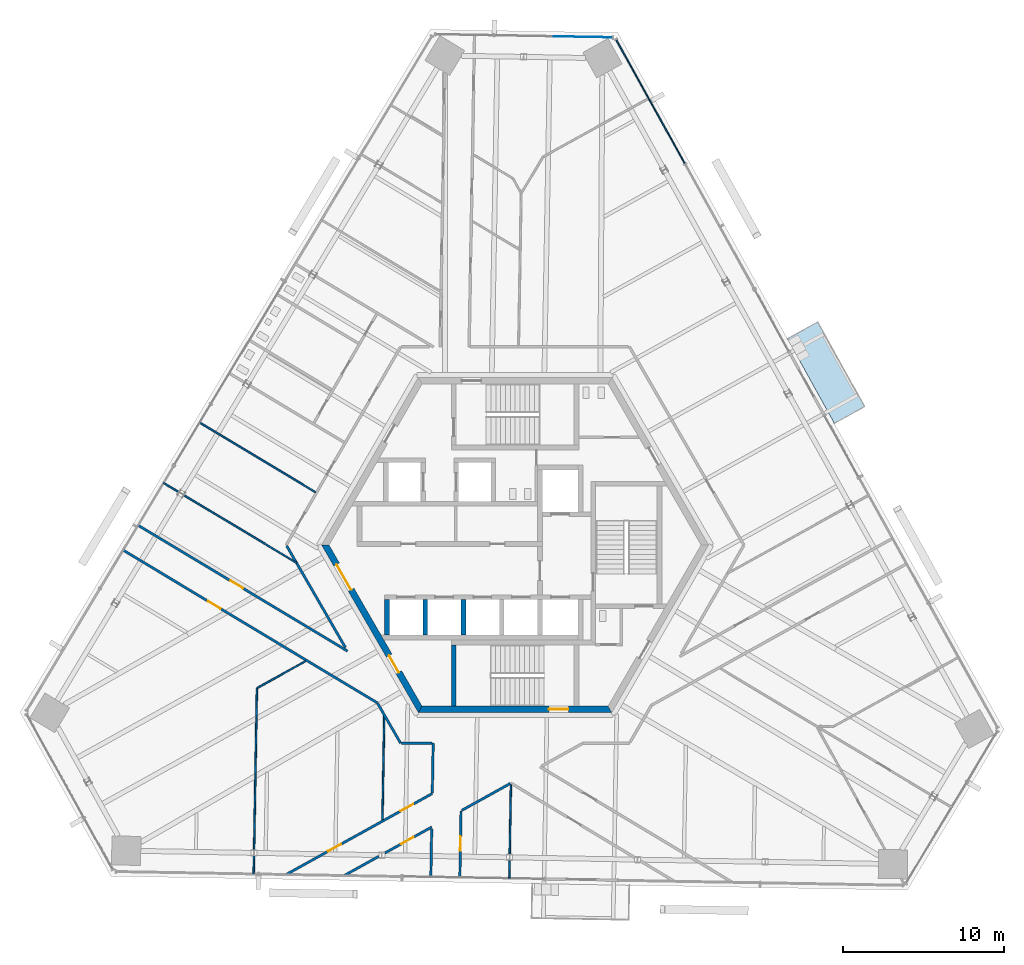
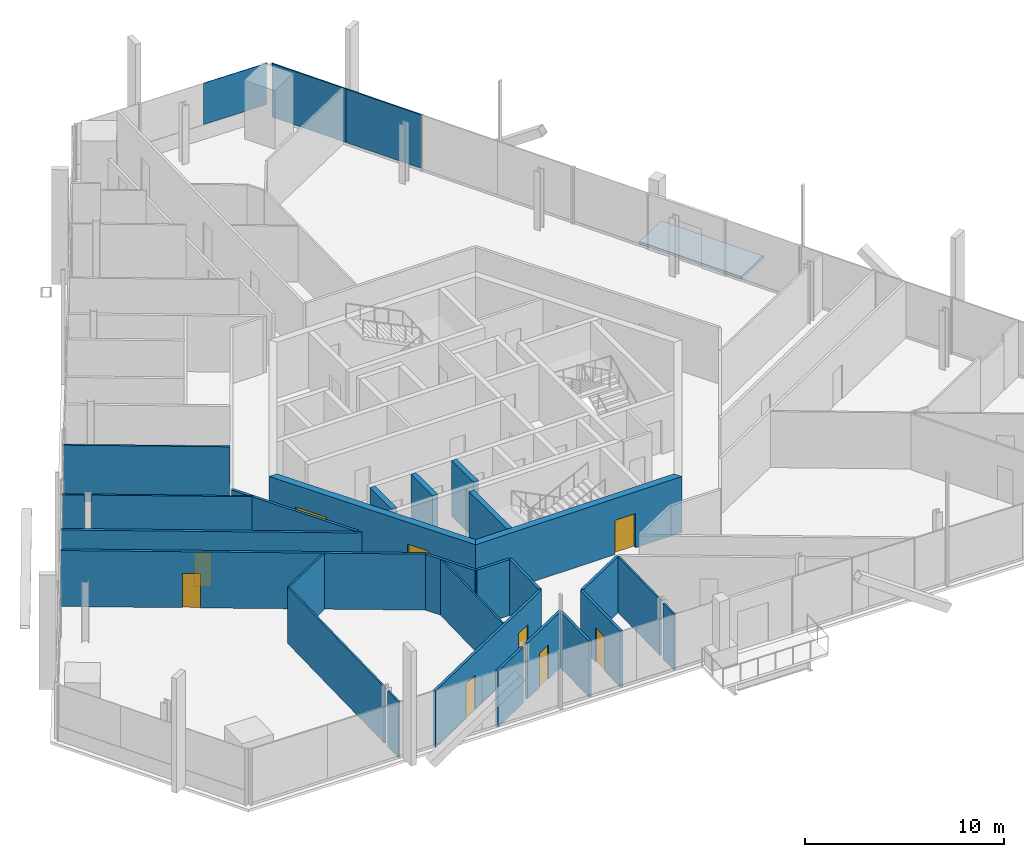
# One storey, part 11 of 21: 27 walls, 9 doors, 3 plates, 1 slab, 9 openings, 2 elements without a shape of their own.
"""IFC4 building model written with IfcOpenShell, lengths in metres."""

from ifc_helpers import new_model, si_unit, direction, frame, frame_2d, origin, origin_2d, place, context, subcontext, project, spatial, polyline, rectangle, outline, extrude, source, transform, mapped, material, layer, layer_set, type_object, element, fill, aggregate, save


model = new_model("IFC4")

# Units and contexts
model_context = context("Model", 3, precision=1e-05, world=origin(), true_north=direction((0.0, 1.0)))
body_context = subcontext(model_context, "Body", "Model", "MODEL_VIEW")
ifc_project = project(units=[si_unit("LENGTHUNIT", "METRE"), si_unit("AREAUNIT", "SQUARE_METRE"), si_unit("VOLUMEUNIT", "CUBIC_METRE"), si_unit("PLANEANGLEUNIT", "RADIAN"), si_unit("MASSUNIT", "GRAM", prefix="KILO")], contexts=[model_context])

# Site, building, storey
site_placement = place(None, origin())
site = spatial("IfcSite", under=ifc_project, at=site_placement, CompositionType="ELEMENT")
building_placement = place(site_placement, origin())
building = spatial("IfcBuilding", under=site, at=building_placement, Name="Triune Harvest Tower", CompositionType="ELEMENT")
storey_placement = place(building_placement, frame((0.0, 0.0, 187.10009765625)))
storey = spatial("IfcBuildingStorey", under=building, at=storey_placement, Name="L48", CompositionType="ELEMENT", Elevation=187.10009765625)

# Slab
ifc_material_1 = material(Name="Concrete 40 MPa", Category="concrete")
ifc_layer_1 = layer(ifc_material_1, 0.159912109375)
ifc_layer_set_1 = layer_set([ifc_layer_1], Name="Concrete 40 MPa")
slab_type = type_object("IfcSlabType", Name="BA-1 balcony slab 160", PredefinedType="FLOOR", material=ifc_layer_set_1)
slab_placement = place(storey_placement, frame((0.0, 0.0, -0.16015625)))
element("IfcSlab", 1, at=slab_placement, inside=storey, type_object=slab_type, Name="Balcony slab B5-F1 L48.6", PredefinedType="FLOOR", context=body_context, shape_type="SweptSolid", body=[
    extrude(outline(polyline([(19.801513671875, 7.5458984375), (16.892578125, 12.793701171875), (18.77099609375, 13.8349609375), (21.679931640625, 8.58740234375), (19.801513671875, 7.5458984375)])), origin(), (0.0, 0.0, 1.0), 0.16015625),
])

# Curtain wall, plate
ifc_material_2 = material(Name="Aluminium bronze anodised", Category="aluminium")
curtain_wall_type_1 = type_object("IfcCurtainWallType", Name="CW-1 Tower stick curtain wall", PredefinedType="NOTDEFINED", material=ifc_material_2)
curtain_wall_1_placement = place(storey_placement, origin())
curtain_wall_1 = element("IfcCurtainWall", 2, at=curtain_wall_1_placement, inside=storey, type_object=curtain_wall_type_1, Name="CW-1 B5-F2 L48 run 1")
ifc_material_3 = material(Name="Glass", Category="glass")
ifc_layer_2 = layer(ifc_material_3, 0.031982421875)
ifc_layer_set_2 = layer_set([ifc_layer_2], Name="Glass")
plate_type_1 = type_object("IfcPlateType", Name="GL-1 panel 32", PredefinedType="CURTAIN_PANEL", material=ifc_layer_set_2)
shared_shape_1 = source(origin(), body_context, "Body", "SweptSolid", [
    extrude(rectangle(XDim=3.625, YDim=0.031982421875, at=origin_2d()), origin(), (0.0, 0.0, 1.0), 2.5400390625),
])
plate_1_placement = place(storey_placement, frame((4.213134765625, 31.516357421875, 0.89990234375), z_axis=(0.0, 0.0, 1.0), x_axis=(-0.999847801404, 0.017446318452, 0.0)))
plate_1 = element("IfcPlate", 3, at=plate_1_placement, type_object=plate_type_1, Name="CW-1 panel B5-F2 1.1", PredefinedType="CURTAIN_PANEL", context=body_context, shape_type="MappedRepresentation", body=[
    mapped(shared_shape_1, transform((0.0, 0.0, 0.0), scale=1.0)),
])
aggregate(curtain_wall_1, [plate_1])

# Curtain wall, plates
ifc_material_4 = material(Name="Aluminium bronze anodised", Category="aluminium")
curtain_wall_type_2 = type_object("IfcCurtainWallType", Name="CW-10 Balcony window wall with insulated spandrel infill", PredefinedType="NOTDEFINED", material=ifc_material_4)
curtain_wall_2_placement = place(storey_placement, origin())
curtain_wall_2 = element("IfcCurtainWall", 4, at=curtain_wall_2_placement, inside=storey, type_object=curtain_wall_type_2, Name="CW-10 B5-F1 L48 run 1002")
ifc_material_5 = material(Name="Insulated spandrel panel, bronze aluminium pan", Category="aluminium")
ifc_layer_3 = layer(ifc_material_5, 0.080078125)
ifc_layer_set_3 = layer_set([ifc_layer_3], Name="Insulated spandrel panel, bronze aluminium pan")
plate_type_2 = type_object("IfcPlateType", Name="SP-1 insulated spandrel panel 80", PredefinedType="CURTAIN_PANEL", material=ifc_layer_set_3)
shared_shape_2 = source(origin(), body_context, "Body", "SweptSolid", [
    extrude(rectangle(XDim=4.36767578125, YDim=0.080078125, at=origin_2d()), origin(), (0.0, 0.0, 1.0), 3.2900390625),
])
plate_2_placement = place(storey_placement, frame((7.3291015625, 29.427490234375, 0.14990234375), z_axis=(0.0, 0.0, 1.0), x_axis=(-0.48480650278, 0.874621435172, 0.0)))
plate_2 = element("IfcPlate", 5, at=plate_2_placement, type_object=plate_type_2, Name="CW-10 panel B5-F1 1002.4", PredefinedType="CURTAIN_PANEL", context=body_context, shape_type="MappedRepresentation", body=[
    mapped(shared_shape_2, transform((0.0, 0.0, 0.0), scale=1.0)),
])
shared_shape_3 = source(origin(), body_context, "Body", "SweptSolid", [
    extrude(rectangle(XDim=4.405029296875, YDim=0.080078125, at=origin_2d()), origin(), (0.0, 0.0, 1.0), 3.2900390625),
])
plate_3_placement = place(storey_placement, frame((9.455810546875, 25.591064453125, 0.14990234375), z_axis=(0.0, 0.0, 1.0), x_axis=(-0.48480650278, 0.874621435172, 0.0)))
plate_3 = element("IfcPlate", 6, at=plate_3_placement, type_object=plate_type_2, Name="CW-10 panel B5-F1 1002.3", PredefinedType="CURTAIN_PANEL", context=body_context, shape_type="MappedRepresentation", body=[
    mapped(shared_shape_3, transform((0.0, 0.0, 0.0), scale=1.0)),
])
aggregate(curtain_wall_2, [plate_3, plate_2])

# Walls
ifc_material_6 = material(Name="Gypsum board on steel studs", Category="steel")
ifc_layer_4 = layer(ifc_material_6, 0.14990234375)
ifc_layer_set_4 = layer_set([ifc_layer_4], Name="Gypsum board on steel studs")
wall_type_1 = type_object("IfcWallType", Name="Fire Partition 150 mm", PredefinedType="PARTITIONING", material=ifc_layer_set_4)
wall_1_placement = place(storey_placement, frame((-5.1328125, -15.3720703125, 0.0), z_axis=(0.0, 0.0, 1.0), x_axis=(0.017516139067, 0.999846580667, 0.0)))
element("IfcWall", 7, at=wall_1_placement, inside=storey, type_object=wall_type_1, Name="Partition L48 057", PredefinedType="PARTITIONING", context=body_context, shape_type="SweptSolid", body=[
    extrude(rectangle(XDim=3.080322265625, YDim=0.14990234375, at=frame_2d((1.5400390625, 0.0))), origin(), (0.0, 0.0, 1.0), 3.43994140625),
])
ifc_material_7 = material(Name="Gypsum board on steel studs", Category="steel")
ifc_layer_5 = layer(ifc_material_7, 0.10009765625)
ifc_layer_set_5 = layer_set([ifc_layer_5], Name="Gypsum board on steel studs")
wall_type_2 = type_object("IfcWallType", Name="Partition 100 mm", PredefinedType="PARTITIONING", material=ifc_layer_set_5)
wall_2_placement = place(storey_placement, frame((-19.56103515625, 7.591796875, 0.0), z_axis=(0.0, 0.0, 1.0), x_axis=(0.857158773746, -0.515052265882, 0.0)))
element("IfcWall", 8, at=wall_2_placement, inside=storey, type_object=wall_type_2, Name="Partition L48 014", PredefinedType="PARTITIONING", context=body_context, shape_type="SweptSolid", body=[
    extrude(rectangle(XDim=8.38525390625, YDim=0.10009765625, at=frame_2d((4.192626953125, 0.0))), origin(), (0.0, 0.0, 1.0), 3.43994140625),
])

# Wall, openings, doors
ifc_material_8 = material(Name="Concrete 70 MPa", Category="concrete")
ifc_layer_6 = layer(ifc_material_8, 0.39990234375)
ifc_layer_set_6 = layer_set([ifc_layer_6], Name="Concrete 70 MPa")
wall_type_3 = type_object("IfcWallType", Name="Core wall 400", PredefinedType="SHEAR", material=ifc_layer_set_6)
shared_shape_4 = source(origin(), body_context, "Body", "SweptSolid", [
    extrude(outline(polyline([(-0.115478515625, -0.199951171875), (11.884521484375, -0.199951171875), (11.653564453125, 0.199951171875), (0.115478515625, 0.199951171875), (-0.115478515625, -0.199951171875)])), origin(), (0.0, 0.0, 1.0), 3.43994140625),
])
wall_3_placement = place(storey_placement, frame((-11.76904296875, 0.0, 0.0), z_axis=(0.0, 0.0, 1.0), x_axis=(0.499996592174, -0.866027371285, 0.0)))
wall_3 = element("IfcWall", 9, at=wall_3_placement, inside=storey, type_object=wall_type_3, Name="Hexagon 3 wall", PredefinedType="SHEAR", context=body_context, shape_type="MappedRepresentation", body=[
    mapped(shared_shape_4, transform((0.0, 0.0, 0.0), scale=1.0)),
])
opening_1_placement = place(wall_3_placement, frame((1.404541015625, 0.0, 0.0)))
opening_1 = element("IfcOpeningElement", 10, at=opening_1_placement, cuts=wall_3, Name="Opening CD-LS", PredefinedType="OPENING", context=body_context, shape_type="SweptSolid", body=[
    extrude(rectangle(XDim=1.800048828125, YDim=2.10009765625, at=frame_2d((0.89990234375, 1.050048828125))), frame((0.0, 0.2099609375, 0.0), z_axis=(0.0, -1.0, 0.0), x_axis=(1.0, 0.0, 0.0)), (0.0, 0.0, 1.0), 0.419921875),
])
opening_2_placement = place(wall_3_placement, frame((7.91455078125, 0.0, 0.0)))
opening_2 = element("IfcOpeningElement", 11, at=opening_2_placement, cuts=wall_3, Name="Opening CD-SWP", PredefinedType="OPENING", context=body_context, shape_type="SweptSolid", body=[
    extrude(rectangle(XDim=1.199951171875, YDim=2.10009765625, at=frame_2d((0.60009765625, 1.050048828125))), frame((0.0, 0.2099609375, 0.0), z_axis=(0.0, -1.0, 0.0), x_axis=(1.0, 0.0, 0.0)), (0.0, 0.0, 1.0), 0.419921875),
])
ifc_material_9 = material(Name="Steel S235", Category="steel")
door_type_1 = type_object("IfcDoorType", Name="Lobby door 1800 FD120", OperationType="DOUBLE_DOOR_DOUBLE_SWING", PredefinedType="DOOR", material=ifc_material_9)
door_1_placement = place(opening_1_placement, frame((1.800048828125, 0.0, 0.0), z_axis=(0.0, 0.0, 1.0), x_axis=(-1.0, 0.0, 0.0)))
door_1 = element("IfcDoor", 12, at=door_1_placement, inside=storey, type_object=door_type_1, Name="Door CD-LS", OperationType="DOUBLE_DOOR_DOUBLE_SWING", OverallHeight=2.10009765625, OverallWidth=1.800048828125, PredefinedType="DOOR", context=body_context, shape_type="SweptSolid", body=[
    extrude(rectangle(XDim=1.800048828125, YDim=2.10009765625, at=frame_2d((0.89990234375, 1.050048828125))), frame((0.0, 0.02490234375, 0.0), z_axis=(0.0, -1.0, 0.0), x_axis=(1.0, 0.0, 0.0)), (0.0, 0.0, 1.0), 0.050048828125),
])
fill(opening_1, door_1)
ifc_material_10 = material(Name="Steel S235", Category="steel")
door_type_2 = type_object("IfcDoorType", Name="Service door 1200 FD120", OperationType="SINGLE_SWING_LEFT", PredefinedType="DOOR", material=ifc_material_10)
door_2_placement = place(opening_2_placement, frame((1.199951171875, 0.0, 0.0), z_axis=(0.0, 0.0, 1.0), x_axis=(-1.0, 0.0, 0.0)))
door_2 = element("IfcDoor", 13, at=door_2_placement, inside=storey, type_object=door_type_2, Name="Door CD-SWP", OperationType="SINGLE_SWING_RIGHT", OverallHeight=2.10009765625, OverallWidth=1.199951171875, PredefinedType="DOOR", context=body_context, shape_type="SweptSolid", body=[
    extrude(rectangle(XDim=1.199951171875, YDim=2.10009765625, at=frame_2d((0.60009765625, 1.050048828125))), frame((0.0, 0.02490234375, 0.0), z_axis=(0.0, -1.0, 0.0), x_axis=(1.0, 0.0, 0.0)), (0.0, 0.0, 1.0), 0.050048828125),
])
fill(opening_2, door_2)

# Wall, opening, door
wall_4_placement = place(storey_placement, frame((-5.884521484375, -10.1923828125, 0.0), z_axis=(0.0, 0.0, 1.0), x_axis=(1.0, 0.0, 0.0)))
wall_4 = element("IfcWall", 14, at=wall_4_placement, inside=storey, type_object=wall_type_3, Name="Hexagon 4 wall", PredefinedType="SHEAR", context=body_context, shape_type="MappedRepresentation", body=[
    mapped(shared_shape_4, transform((0.0, 0.0, 0.0), scale=1.0)),
])
opening_3_placement = place(wall_4_placement, frame((7.984619140625, 0.0, 0.0)))
opening_3 = element("IfcOpeningElement", 15, at=opening_3_placement, cuts=wall_4, Name="Opening CD-S2P", PredefinedType="OPENING", context=body_context, shape_type="SweptSolid", body=[
    extrude(rectangle(XDim=1.199951171875, YDim=2.10009765625, at=frame_2d((0.60009765625, 1.050048828125))), frame((0.0, 0.2099609375, 0.0), z_axis=(0.0, -1.0, 0.0), x_axis=(1.0, 0.0, 0.0)), (0.0, 0.0, 1.0), 0.419921875),
])
ifc_material_11 = material(Name="Steel S235", Category="steel")
door_type_3 = type_object("IfcDoorType", Name="Stair door 1200 FD120", OperationType="SINGLE_SWING_LEFT", PredefinedType="DOOR", material=ifc_material_11)
door_3_placement = place(opening_3_placement, frame((1.199951171875, 0.0, 0.0), z_axis=(0.0, 0.0, 1.0), x_axis=(-1.0, 0.0, 0.0)))
door_3 = element("IfcDoor", 16, at=door_3_placement, inside=storey, type_object=door_type_3, Name="Door CD-S2P", OperationType="SINGLE_SWING_RIGHT", OverallHeight=2.10009765625, OverallWidth=1.199951171875, PredefinedType="DOOR", context=body_context, shape_type="SweptSolid", body=[
    extrude(rectangle(XDim=1.199951171875, YDim=2.10009765625, at=frame_2d((0.60009765625, 1.050048828125))), frame((0.0, 0.02490234375, 0.0), z_axis=(0.0, -1.0, 0.0), x_axis=(1.0, 0.0, 0.0)), (0.0, 0.0, 1.0), 0.050048828125),
])
fill(opening_3, door_3)

# Walls
ifc_material_12 = material(Name="Concrete 70 MPa", Category="concrete")
ifc_layer_7 = layer(ifc_material_12, 0.300048828125)
ifc_layer_set_7 = layer_set([ifc_layer_7], Name="Concrete 70 MPa")
wall_type_4 = type_object("IfcWallType", Name="Core wall 300", PredefinedType="SHEAR", material=ifc_layer_set_7)
shared_shape_5 = source(origin(), body_context, "Body", "SweptSolid", [
    extrude(rectangle(XDim=2.2001953125, YDim=0.300048828125, at=frame_2d((1.10009765625, 0.0))), origin(), (0.0, 0.0, 1.0), 3.43994140625),
])
for number, where, z_axis, x_axis, name in (
    (17, (-7.949951171875, -5.590087890625, 0.0), (0.0, 0.0, 1.0), (0.0, 1.0, 0.0), "South end west wall"),
    (18, (-5.574951171875, -5.590087890625, 0.0), (0.0, 0.0, 1.0), (0.0, 1.0, 0.0), "South cross 1 wall"),
    (19, (-3.199951171875, -5.590087890625, 0.0), (0.0, 0.0, 1.0), (0.0, 1.0, 0.0), "South cross 2 wall"),
):
    element("IfcWall", number, at=place(storey_placement, frame(where, z_axis=z_axis, x_axis=x_axis)), inside=storey, type_object=wall_type_4, Name=name, PredefinedType="SHEAR", context=body_context, shape_type="MappedRepresentation", body=[
        mapped(shared_shape_5, transform((0.0, 0.0, 0.0), scale=1.0)),
    ])
shared_shape_6 = source(origin(), body_context, "Body", "SweptSolid", [
    extrude(outline(polyline([(3.800048828125, -0.14990234375), (-0.00439453125, -0.14990234375), (-0.00439453125, 0.14990234375), (3.800048828125, 0.14990234375), (3.800048828125, -0.14990234375)])), origin(), (0.0, 0.0, 1.0), 3.43994140625),
])
wall_5_placement = place(storey_placement, frame((-3.800048828125, -9.989990234375, 0.0), z_axis=(0.0, 0.0, 1.0), x_axis=(0.0, 1.0, 0.0)))
element("IfcWall", 20, at=wall_5_placement, inside=storey, type_object=wall_type_4, Name="Stair s west wall", PredefinedType="SHEAR", context=body_context, shape_type="MappedRepresentation", body=[
    mapped(shared_shape_6, transform((0.0, 0.0, 0.0), scale=1.0)),
])
shared_shape_7 = source(origin(), body_context, "Body", "SweptSolid", [
    extrude(rectangle(XDim=7.291015625, YDim=0.14990234375, at=frame_2d((3.6455078125, 0.0))), origin(), (0.0, 0.0, 1.0), 3.43994140625),
])
wall_6_placement = place(storey_placement, frame((-14.168701171875, -0.043701171875, 0.0), z_axis=(0.0, 0.0, 1.0), x_axis=(0.499999748559, -0.866025548954, 0.0)))
element("IfcWall", 21, at=wall_6_placement, inside=storey, type_object=wall_type_1, Name="Partition L48 004", PredefinedType="PARTITIONING", context=body_context, shape_type="MappedRepresentation", body=[
    mapped(shared_shape_7, transform((0.0, 0.0, 0.0), scale=1.0)),
])
shared_shape_8 = source(origin(), body_context, "Body", "SweptSolid", [
    extrude(rectangle(XDim=2.869873046875, YDim=0.14990234375, at=frame_2d((1.43505859375, 0.0))), origin(), (0.0, 0.0, 1.0), 3.43994140625),
])
wall_7_placement = place(storey_placement, frame((-8.531982421875, -9.806884765625, 0.0), z_axis=(0.0, 0.0, 1.0), x_axis=(0.499972835562, -0.866041086612, 0.0)))
element("IfcWall", 22, at=wall_7_placement, inside=storey, type_object=wall_type_1, Name="Partition L48 005", PredefinedType="PARTITIONING", context=body_context, shape_type="MappedRepresentation", body=[
    mapped(shared_shape_8, transform((0.0, 0.0, 0.0), scale=1.0)),
])

# Wall, opening, door
shared_shape_9 = source(origin(), body_context, "Body", "SweptSolid", [
    extrude(rectangle(XDim=18.3974609375, YDim=0.14990234375, at=frame_2d((9.19873046875, 0.0))), origin(), (0.0, 0.0, 1.0), 3.43994140625),
])
wall_8_placement = place(storey_placement, frame((-24.3115234375, -0.314453125, 0.0), z_axis=(0.0, 0.0, 1.0), x_axis=(0.857169585302, -0.515034272679, 0.0)))
wall_8 = element("IfcWall", 23, at=wall_8_placement, inside=storey, type_object=wall_type_1, Name="Partition L48 007", PredefinedType="PARTITIONING", context=body_context, shape_type="MappedRepresentation", body=[
    mapped(shared_shape_9, transform((0.0, 0.0, 0.0), scale=1.0)),
])
opening_4_placement = place(wall_8_placement, frame((6.14990234375, 0.0, 0.0)))
opening_4 = element("IfcOpeningElement", 24, at=opening_4_placement, cuts=wall_8, Name="Opening L48-017", PredefinedType="OPENING", context=body_context, shape_type="SweptSolid", body=[
    extrude(rectangle(XDim=0.89990234375, YDim=2.10009765625, at=frame_2d((0.449951171875, 1.050048828125))), frame((0.0, 0.0849609375, 0.0), z_axis=(0.0, -1.0, 0.0), x_axis=(1.0, 0.0, 0.0)), (0.0, 0.0, 1.0), 0.169921875),
])
ifc_material_13 = material(Name="Timber and steel door set", Category="steel")
door_type_4 = type_object("IfcDoorType", Name="Single leaf door FD30 right hand 900 x 2100", OperationType="SINGLE_SWING_RIGHT", PredefinedType="DOOR", material=ifc_material_13)
door_4_placement = place(opening_4_placement, origin())
door_4 = element("IfcDoor", 25, at=door_4_placement, inside=storey, type_object=door_type_4, Name="Door L48-017 Office 48.17", OperationType="SINGLE_SWING_RIGHT", OverallHeight=2.10009765625, OverallWidth=0.89990234375, PredefinedType="DOOR", context=body_context, shape_type="SweptSolid", body=[
    extrude(rectangle(XDim=0.89990234375, YDim=2.10009765625, at=frame_2d((0.449951171875, 1.050048828125))), frame((0.0, 0.02490234375, 0.0), z_axis=(0.0, -1.0, 0.0), x_axis=(1.0, 0.0, 0.0)), (0.0, 0.0, 1.0), 0.050048828125),
])
fill(opening_4, door_4)

shared_shape_10 = source(origin(), body_context, "Body", "SweptSolid", [
    extrude(rectangle(XDim=15.150390625, YDim=0.14990234375, at=frame_2d((7.5751953125, 0.0))), origin(), (0.0, 0.0, 1.0), 3.43994140625),
])
wall_9_placement = place(storey_placement, frame((-23.384521484375, 1.228515625, 0.0), z_axis=(0.0, 0.0, 1.0), x_axis=(0.857167144527, -0.515038334829, 0.0)))
wall_9 = element("IfcWall", 26, at=wall_9_placement, inside=storey, type_object=wall_type_1, Name="Partition L48 010", PredefinedType="PARTITIONING", context=body_context, shape_type="MappedRepresentation", body=[
    mapped(shared_shape_10, transform((0.0, 0.0, 0.0), scale=1.0)),
])
opening_5_placement = place(wall_9_placement, frame((6.681396484375, 0.0, 0.0)))
opening_5 = element("IfcOpeningElement", 27, at=opening_5_placement, cuts=wall_9, Name="Opening L48-018", PredefinedType="OPENING", context=body_context, shape_type="SweptSolid", body=[
    extrude(rectangle(XDim=0.89990234375, YDim=2.10009765625, at=frame_2d((0.449951171875, 1.050048828125))), frame((0.0, 0.0849609375, 0.0), z_axis=(0.0, -1.0, 0.0), x_axis=(1.0, 0.0, 0.0)), (0.0, 0.0, 1.0), 0.169921875),
])
ifc_material_14 = material(Name="Timber and steel door set", Category="steel")
door_type_5 = type_object("IfcDoorType", Name="Single leaf door FD30 left hand 900 x 2100", OperationType="SINGLE_SWING_LEFT", PredefinedType="DOOR", material=ifc_material_14)
door_5_placement = place(opening_5_placement, origin())
door_5 = element("IfcDoor", 28, at=door_5_placement, inside=storey, type_object=door_type_5, Name="Door L48-018 Office 48.18", OperationType="SINGLE_SWING_LEFT", OverallHeight=2.10009765625, OverallWidth=0.89990234375, PredefinedType="DOOR", context=body_context, shape_type="SweptSolid", body=[
    extrude(rectangle(XDim=0.89990234375, YDim=2.10009765625, at=frame_2d((0.449951171875, 1.050048828125))), frame((0.0, 0.02490234375, 0.0), z_axis=(0.0, -1.0, 0.0), x_axis=(1.0, 0.0, 0.0)), (0.0, 0.0, 1.0), 0.050048828125),
])
fill(opening_5, door_5)

# Walls
shared_shape_11 = source(origin(), body_context, "Body", "SweptSolid", [
    extrude(rectangle(XDim=1.13037109375, YDim=0.10009765625, at=frame_2d((0.565185546875, 0.0))), origin(), (0.0, 0.0, 1.0), 3.43994140625),
])
for number, where, z_axis, x_axis, name in (
    (29, (-21.806396484375, 3.8544921875, 0.0), (0.0, 0.0, 1.0), (0.857149738065, -0.515067302919, 0.0), "Partition L48 012"),
    (30, (-0.359375, -20.673828125, 0.0), (0.0, 0.0, 1.0), (0.017495701451, 0.999846938501, 0.0), "Partition L48 051"),
):
    element("IfcWall", number, at=place(storey_placement, frame(where, z_axis=z_axis, x_axis=x_axis)), inside=storey, type_object=wall_type_2, Name=name, PredefinedType="PARTITIONING", context=body_context, shape_type="MappedRepresentation", body=[
        mapped(shared_shape_11, transform((0.0, 0.0, 0.0), scale=1.0)),
    ])
shared_shape_12 = source(origin(), body_context, "Body", "SweptSolid", [
    extrude(rectangle(XDim=8.149658203125, YDim=0.10009765625, at=frame_2d((4.07470703125, 0.0))), origin(), (0.0, 0.0, 1.0), 3.43994140625),
])
wall_10_placement = place(storey_placement, frame((-20.543212890625, 3.095458984375, 0.0), z_axis=(0.0, 0.0, 1.0), x_axis=(0.857172920036, -0.515028722653, 0.0)))
element("IfcWall", 31, at=wall_10_placement, inside=storey, type_object=wall_type_2, Name="Partition L48 013", PredefinedType="PARTITIONING", context=body_context, shape_type="MappedRepresentation", body=[
    mapped(shared_shape_12, transform((0.0, 0.0, 0.0), scale=1.0)),
])
shared_shape_13 = source(origin(), body_context, "Body", "SweptSolid", [
    extrude(rectangle(XDim=1.130615234375, YDim=0.10009765625, at=frame_2d((0.5654296875, 0.0))), origin(), (0.0, 0.0, 1.0), 3.43994140625),
])
wall_11_placement = place(storey_placement, frame((-16.212890625, -20.397216796875, 0.0), z_axis=(0.0, 0.0, 1.0), x_axis=(0.017491923839, 0.999847004596, 0.0)))
element("IfcWall", 32, at=wall_11_placement, inside=storey, type_object=wall_type_2, Name="Partition L48 060", PredefinedType="PARTITIONING", context=body_context, shape_type="MappedRepresentation", body=[
    mapped(shared_shape_13, transform((0.0, 0.0, 0.0), scale=1.0)),
])
shared_shape_14 = source(origin(), body_context, "Body", "SweptSolid", [
    extrude(rectangle(XDim=4.34375, YDim=0.10009765625, at=frame_2d((2.171875, 0.0))), origin(), (0.0, 0.0, 1.0), 3.43994140625),
])
wall_12_placement = place(storey_placement, frame((-0.333740234375, -19.200439453125, 0.0), z_axis=(0.0, 0.0, 1.0), x_axis=(0.01736766506, 0.99984917073, 0.0)))
element("IfcWall", 33, at=wall_12_placement, inside=storey, type_object=wall_type_2, Name="Partition L48 052", PredefinedType="PARTITIONING", context=body_context, shape_type="MappedRepresentation", body=[
    mapped(shared_shape_14, transform((0.0, 0.0, 0.0), scale=1.0)),
])
shared_shape_15 = source(origin(), body_context, "Body", "SweptSolid", [
    extrude(rectangle(XDim=1.908203125, YDim=0.14990234375, at=frame_2d((0.9541015625, 0.0))), origin(), (0.0, 0.0, 1.0), 3.43994140625),
])
wall_13_placement = place(storey_placement, frame((-7.047119140625, -12.292236328125, 0.0), z_axis=(0.0, 0.0, 1.0), x_axis=(1.0, 0.0, 0.0)))
element("IfcWall", 34, at=wall_13_placement, inside=storey, type_object=wall_type_1, Name="Partition L48 030", PredefinedType="PARTITIONING", context=body_context, shape_type="MappedRepresentation", body=[
    mapped(shared_shape_15, transform((0.0, 0.0, 0.0), scale=1.0)),
])
shared_shape_16 = source(origin(), body_context, "Body", "SweptSolid", [
    extrude(rectangle(XDim=2.45849609375, YDim=0.14990234375, at=frame_2d((1.229248046875, 0.0))), origin(), (0.0, 0.0, 1.0), 3.43994140625),
])
wall_14_placement = place(storey_placement, frame((-10.59130859375, -20.495361328125, 0.0), z_axis=(0.0, 0.0, 1.0), x_axis=(0.874634617379, 0.484782720486, 0.0)))
element("IfcWall", 35, at=wall_14_placement, inside=storey, type_object=wall_type_1, Name="Partition L48 035", PredefinedType="PARTITIONING", context=body_context, shape_type="MappedRepresentation", body=[
    mapped(shared_shape_16, transform((0.0, 0.0, 0.0), scale=1.0)),
])

# Wall, opening, door
shared_shape_17 = source(origin(), body_context, "Body", "SweptSolid", [
    extrude(rectangle(XDim=3.334716796875, YDim=0.14990234375, at=frame_2d((1.66748046875, 0.0))), origin(), (0.0, 0.0, 1.0), 3.43994140625),
])
wall_15_placement = place(storey_placement, frame((-8.08642578125, -19.10693359375, 0.0), z_axis=(0.0, 0.0, 1.0), x_axis=(0.874629958331, 0.484791126146, 0.0)))
wall_15 = element("IfcWall", 36, at=wall_15_placement, inside=storey, type_object=wall_type_1, Name="Partition L48 036", PredefinedType="PARTITIONING", context=body_context, shape_type="MappedRepresentation", body=[
    mapped(shared_shape_17, transform((0.0, 0.0, 0.0), scale=1.0)),
])
opening_6_placement = place(wall_15_placement, frame((1.1474609375, 0.0, 0.0)))
opening_6 = element("IfcOpeningElement", 37, at=opening_6_placement, cuts=wall_15, Name="Opening L48-020", PredefinedType="OPENING", context=body_context, shape_type="SweptSolid", body=[
    extrude(rectangle(XDim=0.89990234375, YDim=2.10009765625, at=frame_2d((0.449951171875, 1.050048828125))), frame((0.0, 0.0849609375, 0.0), z_axis=(0.0, -1.0, 0.0), x_axis=(1.0, 0.0, 0.0)), (0.0, 0.0, 1.0), 0.169921875),
])
door_6_placement = place(opening_6_placement, origin())
door_6 = element("IfcDoor", 38, at=door_6_placement, inside=storey, type_object=door_type_4, Name="Door L48-020 Office 48.20", OperationType="SINGLE_SWING_RIGHT", OverallHeight=2.10009765625, OverallWidth=0.89990234375, PredefinedType="DOOR", context=body_context, shape_type="SweptSolid", body=[
    extrude(rectangle(XDim=0.89990234375, YDim=2.10009765625, at=frame_2d((0.449951171875, 1.050048828125))), frame((0.0, 0.02490234375, 0.0), z_axis=(0.0, -1.0, 0.0), x_axis=(1.0, 0.0, 0.0)), (0.0, 0.0, 1.0), 0.050048828125),
])
fill(opening_6, door_6)

# Wall
shared_shape_18 = source(origin(), body_context, "Body", "SweptSolid", [
    extrude(rectangle(XDim=3.447509765625, YDim=0.14990234375, at=frame_2d((1.7236328125, 0.0))), origin(), (0.0, 0.0, 1.0), 3.43994140625),
])
wall_16_placement = place(storey_placement, frame((-3.30810546875, -16.458251953125, 0.0), z_axis=(0.0, 0.0, 1.0), x_axis=(0.874627847165, 0.48479493496, 0.0)))
element("IfcWall", 39, at=wall_16_placement, inside=storey, type_object=wall_type_1, Name="Partition L48 037", PredefinedType="PARTITIONING", context=body_context, shape_type="MappedRepresentation", body=[
    mapped(shared_shape_18, transform((0.0, 0.0, 0.0), scale=1.0)),
])

# Wall, openings, doors
shared_shape_19 = source(origin(), body_context, "Body", "SweptSolid", [
    extrude(rectangle(XDim=10.355712890625, YDim=0.14990234375, at=frame_2d((5.177734375, 0.0))), origin(), (0.0, 0.0, 1.0), 3.43994140625),
])
wall_17_placement = place(storey_placement, frame((-14.190673828125, -20.4326171875, 0.0), z_axis=(0.0, 0.0, 1.0), x_axis=(0.874622821038, 0.484804002583, 0.0)))
wall_17 = element("IfcWall", 40, at=wall_17_placement, inside=storey, type_object=wall_type_1, Name="Partition L48 040", PredefinedType="PARTITIONING", context=body_context, shape_type="MappedRepresentation", body=[
    mapped(shared_shape_19, transform((0.0, 0.0, 0.0), scale=1.0)),
])
opening_7_placement = place(wall_17_placement, frame((2.968017578125, 0.0, 0.0)))
opening_7 = element("IfcOpeningElement", 41, at=opening_7_placement, cuts=wall_17, Name="Opening L48-019", PredefinedType="OPENING", context=body_context, shape_type="SweptSolid", body=[
    extrude(rectangle(XDim=0.89990234375, YDim=2.10009765625, at=frame_2d((0.449951171875, 1.050048828125))), frame((0.0, 0.0849609375, 0.0), z_axis=(0.0, -1.0, 0.0), x_axis=(1.0, 0.0, 0.0)), (0.0, 0.0, 1.0), 0.169921875),
])
opening_8_placement = place(wall_17_placement, frame((8.105712890625, 0.0, 0.0)))
opening_8 = element("IfcOpeningElement", 42, at=opening_8_placement, cuts=wall_17, Name="Opening L48-021", PredefinedType="OPENING", context=body_context, shape_type="SweptSolid", body=[
    extrude(rectangle(XDim=0.89990234375, YDim=2.10009765625, at=frame_2d((0.449951171875, 1.050048828125))), frame((0.0, 0.0849609375, 0.0), z_axis=(0.0, -1.0, 0.0), x_axis=(1.0, 0.0, 0.0)), (0.0, 0.0, 1.0), 0.169921875),
])
door_7_placement = place(opening_7_placement, origin())
door_7 = element("IfcDoor", 43, at=door_7_placement, inside=storey, type_object=door_type_5, Name="Door L48-019 Open Office 48.19", OperationType="SINGLE_SWING_LEFT", OverallHeight=2.10009765625, OverallWidth=0.89990234375, PredefinedType="DOOR", context=body_context, shape_type="SweptSolid", body=[
    extrude(rectangle(XDim=0.89990234375, YDim=2.10009765625, at=frame_2d((0.449951171875, 1.050048828125))), frame((0.0, 0.02490234375, 0.0), z_axis=(0.0, -1.0, 0.0), x_axis=(1.0, 0.0, 0.0)), (0.0, 0.0, 1.0), 0.050048828125),
])
fill(opening_7, door_7)
door_8_placement = place(opening_8_placement, origin())
door_8 = element("IfcDoor", 44, at=door_8_placement, inside=storey, type_object=door_type_4, Name="Door L48-021 Office 48.21", OperationType="SINGLE_SWING_RIGHT", OverallHeight=2.10009765625, OverallWidth=0.89990234375, PredefinedType="DOOR", context=body_context, shape_type="SweptSolid", body=[
    extrude(rectangle(XDim=0.89990234375, YDim=2.10009765625, at=frame_2d((0.449951171875, 1.050048828125))), frame((0.0, 0.02490234375, 0.0), z_axis=(0.0, -1.0, 0.0), x_axis=(1.0, 0.0, 0.0)), (0.0, 0.0, 1.0), 0.050048828125),
])
fill(opening_8, door_8)

# Wall
shared_shape_20 = source(origin(), body_context, "Body", "SweptSolid", [
    extrude(rectangle(XDim=3.427490234375, YDim=0.10009765625, at=frame_2d((1.7138671875, 0.0))), origin(), (0.0, 0.0, 1.0), 3.43994140625),
])
wall_18_placement = place(storey_placement, frame((-15.994384765625, -8.86572265625, 0.0), z_axis=(0.0, 0.0, 1.0), x_axis=(0.874630605505, 0.484789958553, 0.0)))
element("IfcWall", 45, at=wall_18_placement, inside=storey, type_object=wall_type_2, Name="Partition L48 044", PredefinedType="PARTITIONING", context=body_context, shape_type="MappedRepresentation", body=[
    mapped(shared_shape_20, transform((0.0, 0.0, 0.0), scale=1.0)),
])

# Wall, opening, door
shared_shape_21 = source(origin(), body_context, "Body", "SweptSolid", [
    extrude(rectangle(XDim=4.138916015625, YDim=0.14990234375, at=frame_2d((2.0693359375, 0.0))), origin(), (0.0, 0.0, 1.0), 3.43994140625),
])
wall_19_placement = place(storey_placement, frame((-3.42431640625, -20.62060546875, 0.0), z_axis=(0.0, 0.0, 1.0), x_axis=(0.01751943465, 0.999846522927, 0.0)))
wall_19 = element("IfcWall", 46, at=wall_19_placement, inside=storey, type_object=wall_type_1, Name="Partition L48 054", PredefinedType="PARTITIONING", context=body_context, shape_type="MappedRepresentation", body=[
    mapped(shared_shape_21, transform((0.0, 0.0, 0.0), scale=1.0)),
])
opening_9_placement = place(wall_19_placement, frame((1.650146484375, 0.0, 0.0)))
opening_9 = element("IfcOpeningElement", 47, at=opening_9_placement, cuts=wall_19, Name="Opening L48-022", PredefinedType="OPENING", context=body_context, shape_type="SweptSolid", body=[
    extrude(rectangle(XDim=0.89990234375, YDim=2.10009765625, at=frame_2d((0.449951171875, 1.050048828125))), frame((0.0, 0.0849609375, 0.0), z_axis=(0.0, -1.0, 0.0), x_axis=(1.0, 0.0, 0.0)), (0.0, 0.0, 1.0), 0.169921875),
])
door_9_placement = place(opening_9_placement, origin())
door_9 = element("IfcDoor", 48, at=door_9_placement, inside=storey, type_object=door_type_5, Name="Door L48-022 Meeting Room 48.22", OperationType="SINGLE_SWING_LEFT", OverallHeight=2.10009765625, OverallWidth=0.89990234375, PredefinedType="DOOR", context=body_context, shape_type="SweptSolid", body=[
    extrude(rectangle(XDim=0.89990234375, YDim=2.10009765625, at=frame_2d((0.449951171875, 1.050048828125))), frame((0.0, 0.02490234375, 0.0), z_axis=(0.0, -1.0, 0.0), x_axis=(1.0, 0.0, 0.0)), (0.0, 0.0, 1.0), 0.050048828125),
])
fill(opening_9, door_9)

# Walls
shared_shape_22 = source(origin(), body_context, "Body", "SweptSolid", [
    extrude(rectangle(XDim=2.989501953125, YDim=0.14990234375, at=frame_2d((1.49462890625, 0.0))), origin(), (0.0, 0.0, 1.0), 3.43994140625),
])
wall_20_placement = place(storey_placement, frame((-5.2236328125, -20.589111328125, 0.0), z_axis=(0.0, 0.0, 1.0), x_axis=(0.017476706357, 0.999847270704, 0.0)))
element("IfcWall", 49, at=wall_20_placement, inside=storey, type_object=wall_type_1, Name="Partition L48 056", PredefinedType="PARTITIONING", context=body_context, shape_type="MappedRepresentation", body=[
    mapped(shared_shape_22, transform((0.0, 0.0, 0.0), scale=1.0)),
])
shared_shape_23 = source(origin(), body_context, "Body", "SweptSolid", [
    extrude(rectangle(XDim=6.50439453125, YDim=0.10009765625, at=frame_2d((3.252197265625, 0.0))), origin(), (0.0, 0.0, 1.0), 3.43994140625),
])
wall_21_placement = place(storey_placement, frame((-8.225830078125, -17.037109375, 0.0), z_axis=(0.0, 0.0, 1.0), x_axis=(0.017453606446, 0.999847674209, 0.0)))
element("IfcWall", 50, at=wall_21_placement, inside=storey, type_object=wall_type_2, Name="Partition L48 059", PredefinedType="PARTITIONING", context=body_context, shape_type="MappedRepresentation", body=[
    mapped(shared_shape_23, transform((0.0, 0.0, 0.0), scale=1.0)),
])
shared_shape_24 = source(origin(), body_context, "Body", "SweptSolid", [
    extrude(rectangle(XDim=10.049560546875, YDim=0.10009765625, at=frame_2d((5.02490234375, 0.0))), origin(), (0.0, 0.0, 1.0), 3.43994140625),
])
wall_22_placement = place(storey_placement, frame((-16.187255859375, -18.923583984375, 0.0), z_axis=(0.0, 0.0, 1.0), x_axis=(0.017467024061, 0.999847439898, 0.0)))
element("IfcWall", 51, at=wall_22_placement, inside=storey, type_object=wall_type_2, Name="Partition L48 061", PredefinedType="PARTITIONING", context=body_context, shape_type="MappedRepresentation", body=[
    mapped(shared_shape_24, transform((0.0, 0.0, 0.0), scale=1.0)),
])

save(model, "model.ifc")
